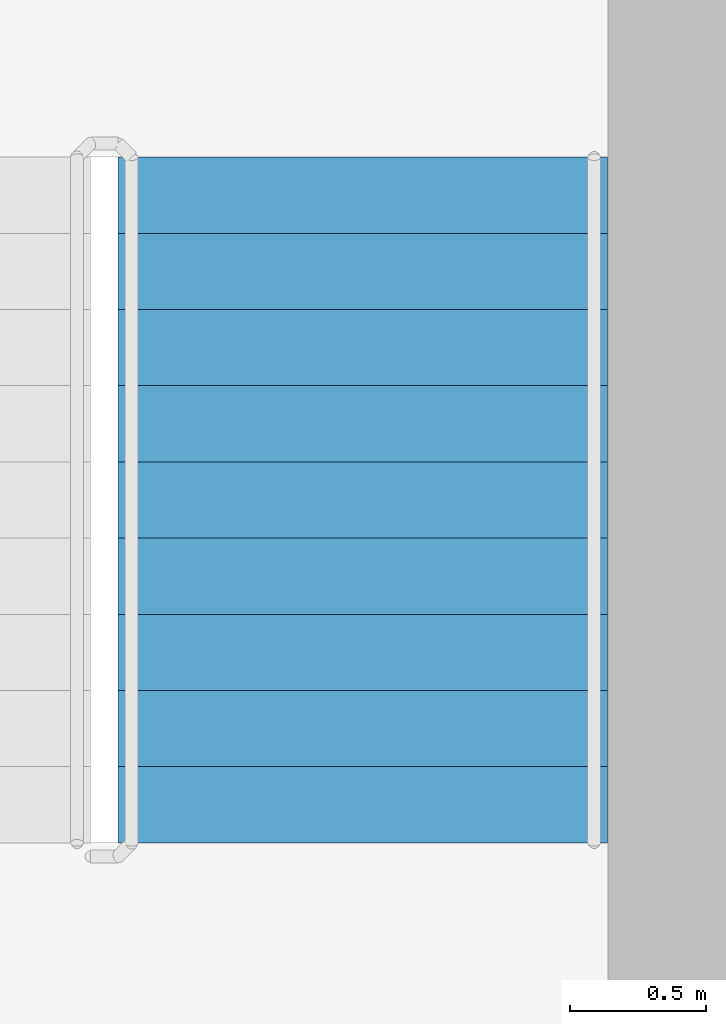
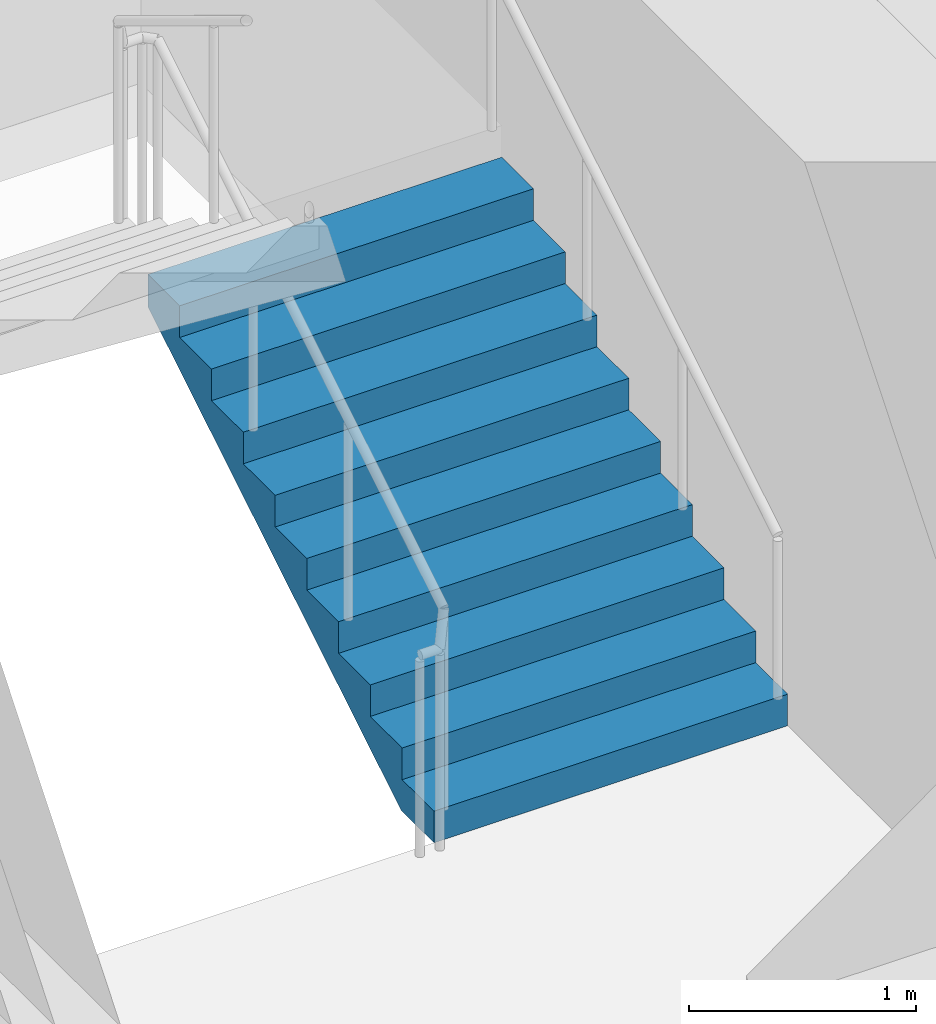
# One storey, part 13 of 23: 1 stair flight, 1 element without a shape of its own.
"""IFC4 building model written with IfcOpenShell, lengths in metres."""

from ifc_helpers import new_model, si_unit, direction, frame, origin, place, context, subcontext, project, spatial, triangles, source, transform, mapped, material, type_object, element, aggregate, save


model = new_model("IFC4")

# Units and contexts
model_context = context("Model", 3, precision=1e-05, world=origin(), true_north=direction((0.0, 1.0)))
body_context = subcontext(model_context, "Body", "Model", "MODEL_VIEW")
ifc_project = project(units=[si_unit("LENGTHUNIT", "METRE"), si_unit("AREAUNIT", "SQUARE_METRE"), si_unit("VOLUMEUNIT", "CUBIC_METRE"), si_unit("PLANEANGLEUNIT", "RADIAN"), si_unit("MASSUNIT", "GRAM", prefix="KILO")], contexts=[model_context])

# Site, building, storey
site_placement = place(None, origin())
site = spatial("IfcSite", under=ifc_project, at=site_placement, CompositionType="ELEMENT")
building_placement = place(site_placement, origin())
building = spatial("IfcBuilding", under=site, at=building_placement, Name="Kilnfold Tower and Market Hall", CompositionType="ELEMENT")
storey_placement = place(building_placement, frame((0.0, 0.0, 150.699951171875)))
storey = spatial("IfcBuildingStorey", under=building, at=storey_placement, Name="L34", CompositionType="ELEMENT", Elevation=150.699951171875)

# Stair, stair flight
ifc_material_1 = material(Name="Concrete C40/50", Category="concrete")
stair_type = type_object("IfcStairType", Name="CORE STAIR 1800", PredefinedType="HALF_TURN_STAIR", material=ifc_material_1)
stair_placement = place(storey_placement, origin())
stair = element("IfcStair", 1, at=stair_placement, inside=storey, type_object=stair_type, Name="L34 ST2", PredefinedType="HALF_TURN_STAIR")
ifc_material_2 = material(Name="Concrete C40/50", Category="concrete")
stair_flight_type = type_object("IfcStairFlightType", Name="CORE STAIR FLIGHT 1800", PredefinedType="STRAIGHT", material=ifc_material_2)
shared_shape = source(origin(), body_context, "Body", "Tessellation", [
    triangles([(0.0, 0.89990234375, 0.0), (0.0, 0.78759765625, 0.0), (0.0, 0.675048828125, 0.0), (0.0, 0.5625, 0.0), (0.0, 0.449951171875, 0.0), (0.0, 0.33740234375, 0.0), (0.0, 0.22509765625, 0.0), (0.0, 0.112548828125, 0.0), (0.0, 0.0, 0.0), (0.0, -0.112548828125, 0.0), (0.0, -0.22509765625, 0.0), (0.0, -0.33740234375, 0.0), (0.0, -0.449951171875, 0.0), (0.0, -0.5625, 0.0), (0.0, -0.675048828125, 0.0), (0.0, -0.78759765625, 0.0), (0.0, -0.89990234375, 0.0), (0.0, 0.89990234375, 0.169921875), (0.0, 0.78759765625, 0.169921875), (0.0, 0.675048828125, 0.169921875), (0.0, 0.5625, 0.169921875), (0.0, 0.449951171875, 0.169921875), (0.0, 0.33740234375, 0.169921875), (0.0, 0.22509765625, 0.169921875), (0.0, 0.112548828125, 0.169921875), (0.0, 0.0, 0.169921875), (0.0, -0.112548828125, 0.169921875), (0.0, -0.22509765625, 0.169921875), (0.0, -0.33740234375, 0.169921875), (0.0, -0.449951171875, 0.169921875), (0.0, -0.5625, 0.169921875), (0.0, -0.675048828125, 0.169921875), (0.0, -0.78759765625, 0.169921875), (0.0, -0.89990234375, 0.169921875), (0.280029296875, 0.89990234375, 0.169921875), (0.280029296875, 0.78759765625, 0.169921875), (0.280029296875, 0.675048828125, 0.169921875), (0.280029296875, 0.5625, 0.169921875), (0.280029296875, 0.449951171875, 0.169921875), (0.280029296875, 0.33740234375, 0.169921875), (0.280029296875, 0.22509765625, 0.169921875), (0.280029296875, 0.112548828125, 0.169921875), (0.280029296875, 0.0, 0.169921875), (0.280029296875, -0.112548828125, 0.169921875), (0.280029296875, -0.22509765625, 0.169921875), (0.280029296875, -0.33740234375, 0.169921875), (0.280029296875, -0.449951171875, 0.169921875), (0.280029296875, -0.5625, 0.169921875), (0.280029296875, -0.675048828125, 0.169921875), (0.280029296875, -0.78759765625, 0.169921875), (0.280029296875, -0.89990234375, 0.169921875), (0.280029296875, 0.89990234375, 0.340087890625), (0.280029296875, 0.78759765625, 0.340087890625), (0.280029296875, 0.675048828125, 0.340087890625), (0.280029296875, 0.5625, 0.340087890625), (0.280029296875, 0.449951171875, 0.340087890625), (0.280029296875, 0.33740234375, 0.340087890625), (0.280029296875, 0.22509765625, 0.340087890625), (0.280029296875, 0.112548828125, 0.340087890625), (0.280029296875, 0.0, 0.340087890625), (0.280029296875, -0.112548828125, 0.340087890625), (0.280029296875, -0.22509765625, 0.340087890625), (0.280029296875, -0.33740234375, 0.340087890625), (0.280029296875, -0.449951171875, 0.340087890625), (0.280029296875, -0.5625, 0.340087890625), (0.280029296875, -0.675048828125, 0.340087890625), (0.280029296875, -0.78759765625, 0.340087890625), (0.280029296875, -0.89990234375, 0.340087890625), (0.56005859375, 0.89990234375, 0.340087890625), (0.56005859375, 0.78759765625, 0.340087890625), (0.56005859375, 0.675048828125, 0.340087890625), (0.56005859375, 0.5625, 0.340087890625), (0.56005859375, 0.449951171875, 0.340087890625), (0.56005859375, 0.33740234375, 0.340087890625), (0.56005859375, 0.22509765625, 0.340087890625), (0.56005859375, 0.112548828125, 0.340087890625), (0.56005859375, 0.0, 0.340087890625), (0.56005859375, -0.112548828125, 0.340087890625), (0.56005859375, -0.22509765625, 0.340087890625), (0.56005859375, -0.33740234375, 0.340087890625), (0.56005859375, -0.449951171875, 0.340087890625), (0.56005859375, -0.5625, 0.340087890625), (0.56005859375, -0.675048828125, 0.340087890625), (0.56005859375, -0.78759765625, 0.340087890625), (0.56005859375, -0.89990234375, 0.340087890625), (0.56005859375, 0.89990234375, 0.510009765625), (0.56005859375, 0.78759765625, 0.510009765625), (0.56005859375, 0.675048828125, 0.510009765625), (0.56005859375, 0.5625, 0.510009765625), (0.56005859375, 0.449951171875, 0.510009765625), (0.56005859375, 0.33740234375, 0.510009765625), (0.56005859375, 0.22509765625, 0.510009765625), (0.56005859375, 0.112548828125, 0.510009765625), (0.56005859375, 0.0, 0.510009765625), (0.56005859375, -0.112548828125, 0.510009765625), (0.56005859375, -0.22509765625, 0.510009765625), (0.56005859375, -0.33740234375, 0.510009765625), (0.56005859375, -0.449951171875, 0.510009765625), (0.56005859375, -0.5625, 0.510009765625), (0.56005859375, -0.675048828125, 0.510009765625), (0.56005859375, -0.78759765625, 0.510009765625), (0.56005859375, -0.89990234375, 0.510009765625), (0.840087890625, 0.89990234375, 0.510009765625), (0.840087890625, 0.78759765625, 0.510009765625), (0.840087890625, 0.675048828125, 0.510009765625), (0.840087890625, 0.5625, 0.510009765625), (0.840087890625, 0.449951171875, 0.510009765625), (0.840087890625, 0.33740234375, 0.510009765625), (0.840087890625, 0.22509765625, 0.510009765625), (0.840087890625, 0.112548828125, 0.510009765625), (0.840087890625, 0.0, 0.510009765625), (0.840087890625, -0.112548828125, 0.510009765625), (0.840087890625, -0.22509765625, 0.510009765625), (0.840087890625, -0.33740234375, 0.510009765625), (0.840087890625, -0.449951171875, 0.510009765625), (0.840087890625, -0.5625, 0.510009765625), (0.840087890625, -0.675048828125, 0.510009765625), (0.840087890625, -0.78759765625, 0.510009765625), (0.840087890625, -0.89990234375, 0.510009765625), (0.840087890625, 0.89990234375, 0.679931640625), (0.840087890625, 0.78759765625, 0.679931640625), (0.840087890625, 0.675048828125, 0.679931640625), (0.840087890625, 0.5625, 0.679931640625), (0.840087890625, 0.449951171875, 0.679931640625), (0.840087890625, 0.33740234375, 0.679931640625), (0.840087890625, 0.22509765625, 0.679931640625), (0.840087890625, 0.112548828125, 0.679931640625), (0.840087890625, 0.0, 0.679931640625), (0.840087890625, -0.112548828125, 0.679931640625), (0.840087890625, -0.22509765625, 0.679931640625), (0.840087890625, -0.33740234375, 0.679931640625), (0.840087890625, -0.449951171875, 0.679931640625), (0.840087890625, -0.5625, 0.679931640625), (0.840087890625, -0.675048828125, 0.679931640625), (0.840087890625, -0.78759765625, 0.679931640625), (0.840087890625, -0.89990234375, 0.679931640625), (1.1201171875, 0.89990234375, 0.679931640625), (1.1201171875, 0.78759765625, 0.679931640625), (1.1201171875, 0.675048828125, 0.679931640625), (1.1201171875, 0.5625, 0.679931640625), (1.1201171875, 0.449951171875, 0.679931640625), (1.1201171875, 0.33740234375, 0.679931640625), (1.1201171875, 0.22509765625, 0.679931640625), (1.1201171875, 0.112548828125, 0.679931640625), (1.1201171875, 0.0, 0.679931640625), (1.1201171875, -0.112548828125, 0.679931640625), (1.1201171875, -0.22509765625, 0.679931640625), (1.1201171875, -0.33740234375, 0.679931640625), (1.1201171875, -0.449951171875, 0.679931640625), (1.1201171875, -0.5625, 0.679931640625), (1.1201171875, -0.675048828125, 0.679931640625), (1.1201171875, -0.78759765625, 0.679931640625), (1.1201171875, -0.89990234375, 0.679931640625), (1.1201171875, 0.89990234375, 0.85009765625), (1.1201171875, 0.78759765625, 0.85009765625), (1.1201171875, 0.675048828125, 0.85009765625), (1.1201171875, 0.5625, 0.85009765625), (1.1201171875, 0.449951171875, 0.85009765625), (1.1201171875, 0.33740234375, 0.85009765625), (1.1201171875, 0.22509765625, 0.85009765625), (1.1201171875, 0.112548828125, 0.85009765625), (1.1201171875, 0.0, 0.85009765625), (1.1201171875, -0.112548828125, 0.85009765625), (1.1201171875, -0.22509765625, 0.85009765625), (1.1201171875, -0.33740234375, 0.85009765625), (1.1201171875, -0.449951171875, 0.85009765625), (1.1201171875, -0.5625, 0.85009765625), (1.1201171875, -0.675048828125, 0.85009765625), (1.1201171875, -0.78759765625, 0.85009765625), (1.1201171875, -0.89990234375, 0.85009765625), (1.39990234375, 0.89990234375, 0.85009765625), (1.39990234375, 0.78759765625, 0.85009765625), (1.39990234375, 0.675048828125, 0.85009765625), (1.39990234375, 0.5625, 0.85009765625), (1.39990234375, 0.449951171875, 0.85009765625), (1.39990234375, 0.33740234375, 0.85009765625), (1.39990234375, 0.22509765625, 0.85009765625), (1.39990234375, 0.112548828125, 0.85009765625), (1.39990234375, 0.0, 0.85009765625), (1.39990234375, -0.112548828125, 0.85009765625), (1.39990234375, -0.22509765625, 0.85009765625), (1.39990234375, -0.33740234375, 0.85009765625), (1.39990234375, -0.449951171875, 0.85009765625), (1.39990234375, -0.5625, 0.85009765625), (1.39990234375, -0.675048828125, 0.85009765625), (1.39990234375, -0.78759765625, 0.85009765625), (1.39990234375, -0.89990234375, 0.85009765625), (1.39990234375, 0.89990234375, 1.02001953125), (1.39990234375, 0.78759765625, 1.02001953125), (1.39990234375, 0.675048828125, 1.02001953125), (1.39990234375, 0.5625, 1.02001953125), (1.39990234375, 0.449951171875, 1.02001953125), (1.39990234375, 0.33740234375, 1.02001953125), (1.39990234375, 0.22509765625, 1.02001953125), (1.39990234375, 0.112548828125, 1.02001953125), (1.39990234375, 0.0, 1.02001953125), (1.39990234375, -0.112548828125, 1.02001953125), (1.39990234375, -0.22509765625, 1.02001953125), (1.39990234375, -0.33740234375, 1.02001953125), (1.39990234375, -0.449951171875, 1.02001953125), (1.39990234375, -0.5625, 1.02001953125), (1.39990234375, -0.675048828125, 1.02001953125), (1.39990234375, -0.78759765625, 1.02001953125), (1.39990234375, -0.89990234375, 1.02001953125), (1.679931640625, 0.89990234375, 1.02001953125), (1.679931640625, 0.78759765625, 1.02001953125), (1.679931640625, 0.675048828125, 1.02001953125), (1.679931640625, 0.5625, 1.02001953125), (1.679931640625, 0.449951171875, 1.02001953125), (1.679931640625, 0.33740234375, 1.02001953125), (1.679931640625, 0.22509765625, 1.02001953125), (1.679931640625, 0.112548828125, 1.02001953125), (1.679931640625, 0.0, 1.02001953125), (1.679931640625, -0.112548828125, 1.02001953125), (1.679931640625, -0.22509765625, 1.02001953125), (1.679931640625, -0.33740234375, 1.02001953125), (1.679931640625, -0.449951171875, 1.02001953125), (1.679931640625, -0.5625, 1.02001953125), (1.679931640625, -0.675048828125, 1.02001953125), (1.679931640625, -0.78759765625, 1.02001953125), (1.679931640625, -0.89990234375, 1.02001953125), (1.679931640625, 0.89990234375, 1.18994140625), (1.679931640625, 0.78759765625, 1.18994140625), (1.679931640625, 0.675048828125, 1.18994140625), (1.679931640625, 0.5625, 1.18994140625), (1.679931640625, 0.449951171875, 1.18994140625), (1.679931640625, 0.33740234375, 1.18994140625), (1.679931640625, 0.22509765625, 1.18994140625), (1.679931640625, 0.112548828125, 1.18994140625), (1.679931640625, 0.0, 1.18994140625), (1.679931640625, -0.112548828125, 1.18994140625), (1.679931640625, -0.22509765625, 1.18994140625), (1.679931640625, -0.33740234375, 1.18994140625), (1.679931640625, -0.449951171875, 1.18994140625), (1.679931640625, -0.5625, 1.18994140625), (1.679931640625, -0.675048828125, 1.18994140625), (1.679931640625, -0.78759765625, 1.18994140625), (1.679931640625, -0.89990234375, 1.18994140625), (1.9599609375, 0.89990234375, 1.18994140625), (1.9599609375, 0.78759765625, 1.18994140625), (1.9599609375, 0.675048828125, 1.18994140625), (1.9599609375, 0.5625, 1.18994140625), (1.9599609375, 0.449951171875, 1.18994140625), (1.9599609375, 0.33740234375, 1.18994140625), (1.9599609375, 0.22509765625, 1.18994140625), (1.9599609375, 0.112548828125, 1.18994140625), (1.9599609375, 0.0, 1.18994140625), (1.9599609375, -0.112548828125, 1.18994140625), (1.9599609375, -0.22509765625, 1.18994140625), (1.9599609375, -0.33740234375, 1.18994140625), (1.9599609375, -0.449951171875, 1.18994140625), (1.9599609375, -0.5625, 1.18994140625), (1.9599609375, -0.675048828125, 1.18994140625), (1.9599609375, -0.78759765625, 1.18994140625), (1.9599609375, -0.89990234375, 1.18994140625), (1.9599609375, 0.89990234375, 1.360107421875), (1.9599609375, 0.78759765625, 1.360107421875), (1.9599609375, 0.675048828125, 1.360107421875), (1.9599609375, 0.5625, 1.360107421875), (1.9599609375, 0.449951171875, 1.360107421875), (1.9599609375, 0.33740234375, 1.360107421875), (1.9599609375, 0.22509765625, 1.360107421875), (1.9599609375, 0.112548828125, 1.360107421875), (1.9599609375, 0.0, 1.360107421875), (1.9599609375, -0.112548828125, 1.360107421875), (1.9599609375, -0.22509765625, 1.360107421875), (1.9599609375, -0.33740234375, 1.360107421875), (1.9599609375, -0.449951171875, 1.360107421875), (1.9599609375, -0.5625, 1.360107421875), (1.9599609375, -0.675048828125, 1.360107421875), (1.9599609375, -0.78759765625, 1.360107421875), (1.9599609375, -0.89990234375, 1.360107421875), (2.239990234375, 0.89990234375, 1.360107421875), (2.239990234375, 0.78759765625, 1.360107421875), (2.239990234375, 0.675048828125, 1.360107421875), (2.239990234375, 0.5625, 1.360107421875), (2.239990234375, 0.449951171875, 1.360107421875), (2.239990234375, 0.33740234375, 1.360107421875), (2.239990234375, 0.22509765625, 1.360107421875), (2.239990234375, 0.112548828125, 1.360107421875), (2.239990234375, 0.0, 1.360107421875), (2.239990234375, -0.112548828125, 1.360107421875), (2.239990234375, -0.22509765625, 1.360107421875), (2.239990234375, -0.33740234375, 1.360107421875), (2.239990234375, -0.449951171875, 1.360107421875), (2.239990234375, -0.5625, 1.360107421875), (2.239990234375, -0.675048828125, 1.360107421875), (2.239990234375, -0.78759765625, 1.360107421875), (2.239990234375, -0.89990234375, 1.360107421875), (2.239990234375, 0.89990234375, 1.530029296875), (2.239990234375, 0.78759765625, 1.530029296875), (2.239990234375, 0.675048828125, 1.530029296875), (2.239990234375, 0.5625, 1.530029296875), (2.239990234375, 0.449951171875, 1.530029296875), (2.239990234375, 0.33740234375, 1.530029296875), (2.239990234375, 0.22509765625, 1.530029296875), (2.239990234375, 0.112548828125, 1.530029296875), (2.239990234375, 0.0, 1.530029296875), (2.239990234375, -0.112548828125, 1.530029296875), (2.239990234375, -0.22509765625, 1.530029296875), (2.239990234375, -0.33740234375, 1.530029296875), (2.239990234375, -0.449951171875, 1.530029296875), (2.239990234375, -0.5625, 1.530029296875), (2.239990234375, -0.675048828125, 1.530029296875), (2.239990234375, -0.78759765625, 1.530029296875), (2.239990234375, -0.89990234375, 1.530029296875), (2.52001953125, 0.89990234375, 1.530029296875), (2.52001953125, 0.78759765625, 1.530029296875), (2.52001953125, 0.675048828125, 1.530029296875), (2.52001953125, 0.5625, 1.530029296875), (2.52001953125, 0.449951171875, 1.530029296875), (2.52001953125, 0.33740234375, 1.530029296875), (2.52001953125, 0.22509765625, 1.530029296875), (2.52001953125, 0.112548828125, 1.530029296875), (2.52001953125, 0.0, 1.530029296875), (2.52001953125, -0.112548828125, 1.530029296875), (2.52001953125, -0.22509765625, 1.530029296875), (2.52001953125, -0.33740234375, 1.530029296875), (2.52001953125, -0.449951171875, 1.530029296875), (2.52001953125, -0.5625, 1.530029296875), (2.52001953125, -0.675048828125, 1.530029296875), (2.52001953125, -0.78759765625, 1.530029296875), (2.52001953125, -0.89990234375, 1.530029296875), (2.52001953125, 0.89990234375, 1.354736328125), (2.52001953125, 0.78759765625, 1.354736328125), (2.52001953125, 0.675048828125, 1.354736328125), (2.52001953125, 0.5625, 1.354736328125), (2.52001953125, 0.449951171875, 1.354736328125), (2.52001953125, 0.33740234375, 1.354736328125), (2.52001953125, 0.22509765625, 1.354736328125), (2.52001953125, 0.112548828125, 1.354736328125), (2.52001953125, 0.0, 1.354736328125), (2.52001953125, -0.112548828125, 1.354736328125), (2.52001953125, -0.22509765625, 1.354736328125), (2.52001953125, -0.33740234375, 1.354736328125), (2.52001953125, -0.449951171875, 1.354736328125), (2.52001953125, -0.5625, 1.354736328125), (2.52001953125, -0.675048828125, 1.354736328125), (2.52001953125, -0.78759765625, 1.354736328125), (2.52001953125, -0.89990234375, 1.354736328125), (0.288818359375, 0.89990234375, 0.0), (0.288818359375, 0.78759765625, 0.0), (0.288818359375, 0.675048828125, 0.0), (0.288818359375, 0.5625, 0.0), (0.288818359375, 0.449951171875, 0.0), (0.288818359375, 0.33740234375, 0.0), (0.288818359375, 0.22509765625, 0.0), (0.288818359375, 0.112548828125, 0.0), (0.288818359375, 0.0, 0.0), (0.288818359375, -0.112548828125, 0.0), (0.288818359375, -0.22509765625, 0.0), (0.288818359375, -0.33740234375, 0.0), (0.288818359375, -0.449951171875, 0.0), (0.288818359375, -0.5625, 0.0), (0.288818359375, -0.675048828125, 0.0), (0.288818359375, -0.78759765625, 0.0), (0.288818359375, -0.89990234375, 0.0)], [[1, 324, 341], [17, 357, 340], [324, 290, 307], [340, 323, 306], [324, 273, 290], [340, 306, 289], [324, 256, 273], [340, 289, 272], [324, 239, 256], [340, 272, 255], [239, 205, 222], [255, 238, 221], [324, 205, 239], [340, 255, 221], [205, 171, 188], [221, 204, 187], [324, 171, 205], [340, 221, 187], [171, 137, 154], [187, 170, 153], [324, 137, 171], [340, 187, 153], [137, 103, 120], [153, 136, 119], [324, 103, 137], [340, 153, 119], [103, 69, 86], [119, 102, 85], [324, 69, 103], [340, 119, 85], [69, 35, 52], [85, 68, 51], [324, 35, 69], [340, 85, 51], [1, 35, 324], [17, 340, 51], [35, 1, 18], [51, 34, 17], [1, 19, 18], [1, 2, 19], [2, 20, 19], [2, 3, 20], [3, 21, 20], [3, 4, 21], [4, 22, 21], [4, 5, 22], [5, 23, 22], [5, 6, 23], [6, 24, 23], [6, 7, 24], [7, 25, 24], [7, 8, 25], [8, 26, 25], [8, 9, 26], [9, 27, 26], [9, 10, 27], [10, 28, 27], [10, 11, 28], [11, 29, 28], [11, 12, 29], [12, 30, 29], [12, 13, 30], [13, 31, 30], [13, 14, 31], [14, 32, 31], [14, 15, 32], [15, 33, 32], [15, 16, 33], [16, 34, 33], [16, 17, 34], [18, 36, 35], [18, 19, 36], [19, 37, 36], [19, 20, 37], [20, 38, 37], [20, 21, 38], [21, 39, 38], [21, 22, 39], [22, 40, 39], [22, 23, 40], [23, 41, 40], [23, 24, 41], [24, 42, 41], [24, 25, 42], [25, 43, 42], [25, 26, 43], [26, 44, 43], [26, 27, 44], [27, 45, 44], [27, 28, 45], [28, 46, 45], [28, 29, 46], [29, 47, 46], [29, 30, 47], [30, 48, 47], [30, 31, 48], [31, 49, 48], [31, 32, 49], [32, 50, 49], [32, 33, 50], [33, 51, 50], [33, 34, 51], [35, 53, 52], [35, 36, 53], [36, 54, 53], [36, 37, 54], [37, 55, 54], [37, 38, 55], [38, 56, 55], [38, 39, 56], [39, 57, 56], [39, 40, 57], [40, 58, 57], [40, 41, 58], [41, 59, 58], [41, 42, 59], [42, 60, 59], [42, 43, 60], [43, 61, 60], [43, 44, 61], [44, 62, 61], [44, 45, 62], [45, 63, 62], [45, 46, 63], [46, 64, 63], [46, 47, 64], [47, 65, 64], [47, 48, 65], [48, 66, 65], [48, 49, 66], [49, 67, 66], [49, 50, 67], [50, 68, 67], [50, 51, 68], [52, 70, 69], [52, 53, 70], [53, 71, 70], [53, 54, 71], [54, 72, 71], [54, 55, 72], [55, 73, 72], [55, 56, 73], [56, 74, 73], [56, 57, 74], [57, 75, 74], [57, 58, 75], [58, 76, 75], [58, 59, 76], [59, 77, 76], [59, 60, 77], [60, 78, 77], [60, 61, 78], [61, 79, 78], [61, 62, 79], [62, 80, 79], [62, 63, 80], [63, 81, 80], [63, 64, 81], [64, 82, 81], [64, 65, 82], [65, 83, 82], [65, 66, 83], [66, 84, 83], [66, 67, 84], [67, 85, 84], [67, 68, 85], [69, 87, 86], [69, 70, 87], [70, 88, 87], [70, 71, 88], [71, 89, 88], [71, 72, 89], [72, 90, 89], [72, 73, 90], [73, 91, 90], [73, 74, 91], [74, 92, 91], [74, 75, 92], [75, 93, 92], [75, 76, 93], [76, 94, 93], [76, 77, 94], [77, 95, 94], [77, 78, 95], [78, 96, 95], [78, 79, 96], [79, 97, 96], [79, 80, 97], [80, 98, 97], [80, 81, 98], [81, 99, 98], [81, 82, 99], [82, 100, 99], [82, 83, 100], [83, 101, 100], [83, 84, 101], [84, 102, 101], [84, 85, 102], [86, 104, 103], [86, 87, 104], [87, 105, 104], [87, 88, 105], [88, 106, 105], [88, 89, 106], [89, 107, 106], [89, 90, 107], [90, 108, 107], [90, 91, 108], [91, 109, 108], [91, 92, 109], [92, 110, 109], [92, 93, 110], [93, 111, 110], [93, 94, 111], [94, 112, 111], [94, 95, 112], [95, 113, 112], [95, 96, 113], [96, 114, 113], [96, 97, 114], [97, 115, 114], [97, 98, 115], [98, 116, 115], [98, 99, 116], [99, 117, 116], [99, 100, 117], [100, 118, 117], [100, 101, 118], [101, 119, 118], [101, 102, 119], [103, 121, 120], [103, 104, 121], [104, 122, 121], [104, 105, 122], [105, 123, 122], [105, 106, 123], [106, 124, 123], [106, 107, 124], [107, 125, 124], [107, 108, 125], [108, 126, 125], [108, 109, 126], [109, 127, 126], [109, 110, 127], [110, 128, 127], [110, 111, 128], [111, 129, 128], [111, 112, 129], [112, 130, 129], [112, 113, 130], [113, 131, 130], [113, 114, 131], [114, 132, 131], [114, 115, 132], [115, 133, 132], [115, 116, 133], [116, 134, 133], [116, 117, 134], [117, 135, 134], [117, 118, 135], [118, 136, 135], [118, 119, 136], [120, 138, 137], [120, 121, 138], [121, 139, 138], [121, 122, 139], [122, 140, 139], [122, 123, 140], [123, 141, 140], [123, 124, 141], [124, 142, 141], [124, 125, 142], [125, 143, 142], [125, 126, 143], [126, 144, 143], [126, 127, 144], [127, 145, 144], [127, 128, 145], [128, 146, 145], [128, 129, 146], [129, 147, 146], [129, 130, 147], [130, 148, 147], [130, 131, 148], [131, 149, 148], [131, 132, 149], [132, 150, 149], [132, 133, 150], [133, 151, 150], [133, 134, 151], [134, 152, 151], [134, 135, 152], [135, 153, 152], [135, 136, 153], [137, 155, 154], [137, 138, 155], [138, 156, 155], [138, 139, 156], [139, 157, 156], [139, 140, 157], [140, 158, 157], [140, 141, 158], [141, 159, 158], [141, 142, 159], [142, 160, 159], [142, 143, 160], [143, 161, 160], [143, 144, 161], [144, 162, 161], [144, 145, 162], [145, 163, 162], [145, 146, 163], [146, 164, 163], [146, 147, 164], [147, 165, 164], [147, 148, 165], [148, 166, 165], [148, 149, 166], [149, 167, 166], [149, 150, 167], [150, 168, 167], [150, 151, 168], [151, 169, 168], [151, 152, 169], [152, 170, 169], [152, 153, 170], [154, 172, 171], [154, 155, 172], [155, 173, 172], [155, 156, 173], [156, 174, 173], [156, 157, 174], [157, 175, 174], [157, 158, 175], [158, 176, 175], [158, 159, 176], [159, 177, 176], [159, 160, 177], [160, 178, 177], [160, 161, 178], [161, 179, 178], [161, 162, 179], [162, 180, 179], [162, 163, 180], [163, 181, 180], [163, 164, 181], [164, 182, 181], [164, 165, 182], [165, 183, 182], [165, 166, 183], [166, 184, 183], [166, 167, 184], [167, 185, 184], [167, 168, 185], [168, 186, 185], [168, 169, 186], [169, 187, 186], [169, 170, 187], [171, 189, 188], [171, 172, 189], [172, 190, 189], [172, 173, 190], [173, 191, 190], [173, 174, 191], [174, 192, 191], [174, 175, 192], [175, 193, 192], [175, 176, 193], [176, 194, 193], [176, 177, 194], [177, 195, 194], [177, 178, 195], [178, 196, 195], [178, 179, 196], [179, 197, 196], [179, 180, 197], [180, 198, 197], [180, 181, 198], [181, 199, 198], [181, 182, 199], [182, 200, 199], [182, 183, 200], [183, 201, 200], [183, 184, 201], [184, 202, 201], [184, 185, 202], [185, 203, 202], [185, 186, 203], [186, 204, 203], [186, 187, 204], [188, 206, 205], [188, 189, 206], [189, 207, 206], [189, 190, 207], [190, 208, 207], [190, 191, 208], [191, 209, 208], [191, 192, 209], [192, 210, 209], [192, 193, 210], [193, 211, 210], [193, 194, 211], [194, 212, 211], [194, 195, 212], [195, 213, 212], [195, 196, 213], [196, 214, 213], [196, 197, 214], [197, 215, 214], [197, 198, 215], [198, 216, 215], [198, 199, 216], [199, 217, 216], [199, 200, 217], [200, 218, 217], [200, 201, 218], [201, 219, 218], [201, 202, 219], [202, 220, 219], [202, 203, 220], [203, 221, 220], [203, 204, 221], [205, 223, 222], [205, 206, 223], [206, 224, 223], [206, 207, 224], [207, 225, 224], [207, 208, 225], [208, 226, 225], [208, 209, 226], [209, 227, 226], [209, 210, 227], [210, 228, 227], [210, 211, 228], [211, 229, 228], [211, 212, 229], [212, 230, 229], [212, 213, 230], [213, 231, 230], [213, 214, 231], [214, 232, 231], [214, 215, 232], [215, 233, 232], [215, 216, 233], [216, 234, 233], [216, 217, 234], [217, 235, 234], [217, 218, 235], [218, 236, 235], [218, 219, 236], [219, 237, 236], [219, 220, 237], [220, 238, 237], [220, 221, 238], [222, 240, 239], [222, 223, 240], [223, 241, 240], [223, 224, 241], [224, 242, 241], [224, 225, 242], [225, 243, 242], [225, 226, 243], [226, 244, 243], [226, 227, 244], [227, 245, 244], [227, 228, 245], [228, 246, 245], [228, 229, 246], [229, 247, 246], [229, 230, 247], [230, 248, 247], [230, 231, 248], [231, 249, 248], [231, 232, 249], [232, 250, 249], [232, 233, 250], [233, 251, 250], [233, 234, 251], [234, 252, 251], [234, 235, 252], [235, 253, 252], [235, 236, 253], [236, 254, 253], [236, 237, 254], [237, 255, 254], [237, 238, 255], [239, 257, 256], [239, 240, 257], [240, 258, 257], [240, 241, 258], [241, 259, 258], [241, 242, 259], [242, 260, 259], [242, 243, 260], [243, 261, 260], [243, 244, 261], [244, 262, 261], [244, 245, 262], [245, 263, 262], [245, 246, 263], [246, 264, 263], [246, 247, 264], [247, 265, 264], [247, 248, 265], [248, 266, 265], [248, 249, 266], [249, 267, 266], [249, 250, 267], [250, 268, 267], [250, 251, 268], [251, 269, 268], [251, 252, 269], [252, 270, 269], [252, 253, 270], [253, 271, 270], [253, 254, 271], [254, 272, 271], [254, 255, 272], [256, 274, 273], [256, 257, 274], [257, 275, 274], [257, 258, 275], [258, 276, 275], [258, 259, 276], [259, 277, 276], [259, 260, 277], [260, 278, 277], [260, 261, 278], [261, 279, 278], [261, 262, 279], [262, 280, 279], [262, 263, 280], [263, 281, 280], [263, 264, 281], [264, 282, 281], [264, 265, 282], [265, 283, 282], [265, 266, 283], [266, 284, 283], [266, 267, 284], [267, 285, 284], [267, 268, 285], [268, 286, 285], [268, 269, 286], [269, 287, 286], [269, 270, 287], [270, 288, 287], [270, 271, 288], [271, 289, 288], [271, 272, 289], [273, 291, 290], [273, 274, 291], [274, 292, 291], [274, 275, 292], [275, 293, 292], [275, 276, 293], [276, 294, 293], [276, 277, 294], [277, 295, 294], [277, 278, 295], [278, 296, 295], [278, 279, 296], [279, 297, 296], [279, 280, 297], [280, 298, 297], [280, 281, 298], [281, 299, 298], [281, 282, 299], [282, 300, 299], [282, 283, 300], [283, 301, 300], [283, 284, 301], [284, 302, 301], [284, 285, 302], [285, 303, 302], [285, 286, 303], [286, 304, 303], [286, 287, 304], [287, 305, 304], [287, 288, 305], [288, 306, 305], [288, 289, 306], [290, 308, 307], [290, 291, 308], [291, 309, 308], [291, 292, 309], [292, 310, 309], [292, 293, 310], [293, 311, 310], [293, 294, 311], [294, 312, 311], [294, 295, 312], [295, 313, 312], [295, 296, 313], [296, 314, 313], [296, 297, 314], [297, 315, 314], [297, 298, 315], [298, 316, 315], [298, 299, 316], [299, 317, 316], [299, 300, 317], [300, 318, 317], [300, 301, 318], [301, 319, 318], [301, 302, 319], [302, 320, 319], [302, 303, 320], [303, 321, 320], [303, 304, 321], [304, 322, 321], [304, 305, 322], [305, 323, 322], [305, 306, 323], [307, 325, 324], [307, 308, 325], [308, 326, 325], [308, 309, 326], [309, 327, 326], [309, 310, 327], [310, 328, 327], [310, 311, 328], [311, 329, 328], [311, 312, 329], [312, 330, 329], [312, 313, 330], [313, 331, 330], [313, 314, 331], [314, 332, 331], [314, 315, 332], [315, 333, 332], [315, 316, 333], [316, 334, 333], [316, 317, 334], [317, 335, 334], [317, 318, 335], [318, 336, 335], [318, 319, 336], [319, 337, 336], [319, 320, 337], [320, 338, 337], [320, 321, 338], [321, 339, 338], [321, 322, 339], [322, 340, 339], [322, 323, 340], [324, 342, 341], [324, 325, 342], [325, 343, 342], [325, 326, 343], [326, 344, 343], [326, 327, 344], [327, 345, 344], [327, 328, 345], [328, 346, 345], [328, 329, 346], [329, 347, 346], [329, 330, 347], [330, 348, 347], [330, 331, 348], [331, 349, 348], [331, 332, 349], [332, 350, 349], [332, 333, 350], [333, 351, 350], [333, 334, 351], [334, 352, 351], [334, 335, 352], [335, 353, 352], [335, 336, 353], [336, 354, 353], [336, 337, 354], [337, 355, 354], [337, 338, 355], [338, 356, 355], [338, 339, 356], [339, 357, 356], [339, 340, 357], [341, 2, 1], [341, 342, 2], [342, 3, 2], [342, 343, 3], [343, 4, 3], [343, 344, 4], [344, 5, 4], [344, 345, 5], [345, 6, 5], [345, 346, 6], [346, 7, 6], [346, 347, 7], [347, 8, 7], [347, 348, 8], [348, 9, 8], [348, 349, 9], [349, 10, 9], [349, 350, 10], [350, 11, 10], [350, 351, 11], [351, 12, 11], [351, 352, 12], [352, 13, 12], [352, 353, 13], [353, 14, 13], [353, 354, 14], [354, 15, 14], [354, 355, 15], [355, 16, 15], [355, 356, 16], [356, 17, 16], [356, 357, 17]], closed=True),
])
stair_flight_placement = place(storey_placement, frame((16.199951171875, 10.800048828125, 0.0), z_axis=(0.0, 0.0, 1.0), x_axis=(0.0, 1.0, 0.0)))
stair_flight = element("IfcStairFlight", 2, at=stair_flight_placement, type_object=stair_flight_type, Name="ST2 flight 1", NumberOfRisers=10, NumberOfTreads=9, PredefinedType="STRAIGHT", RiserHeight=0.17, TreadLength=0.28, context=body_context, shape_type="MappedRepresentation", body=[
    mapped(shared_shape, transform((0.0, 0.0, 0.0))),
])
aggregate(stair, [stair_flight])

save(model, "model.ifc")
